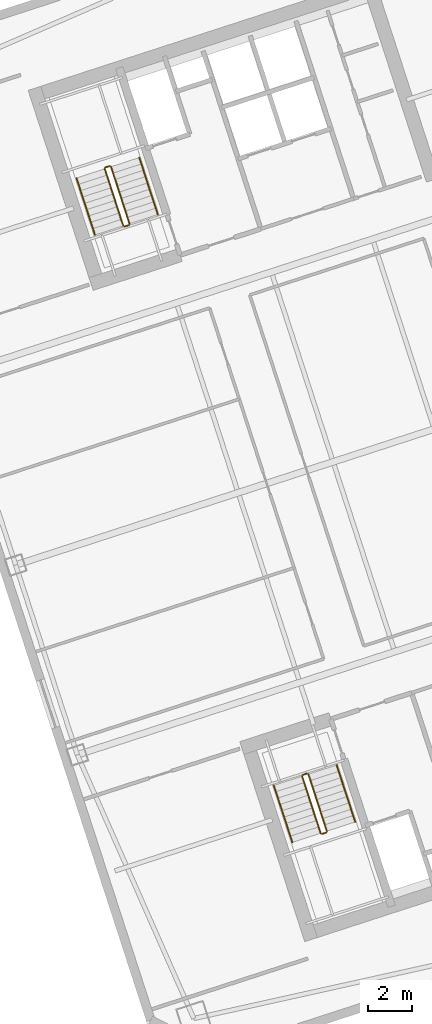
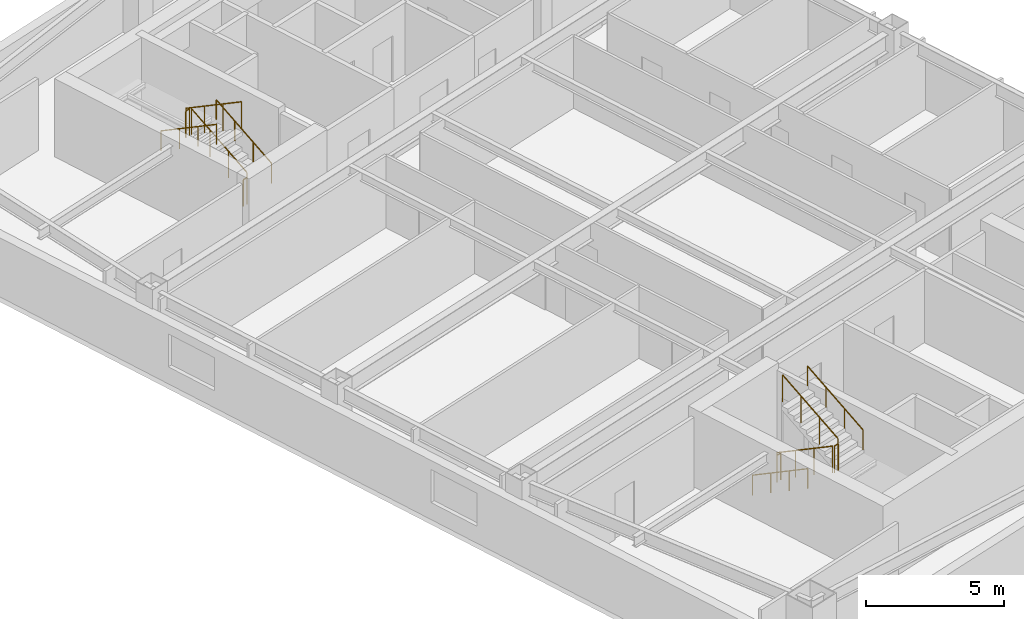
# One storey, part 14 of 14: 12 railings.
"""IFC4 building model written with IfcOpenShell, lengths in metres."""

from ifc_helpers import new_model, si_unit, direction, frame, origin, origin_2d, place, context, subcontext, project, spatial, circle, extrude, material, type_object, element, save


model = new_model("IFC4")

# Units and contexts
model_context = context("Model", 3, precision=1e-05, world=origin(), true_north=direction((0.0, 1.0)))
body_context = subcontext(model_context, "Body", "Model", "MODEL_VIEW")
ifc_project = project(units=[si_unit("LENGTHUNIT", "METRE"), si_unit("AREAUNIT", "SQUARE_METRE"), si_unit("VOLUMEUNIT", "CUBIC_METRE"), si_unit("PLANEANGLEUNIT", "RADIAN"), si_unit("MASSUNIT", "GRAM", prefix="KILO")], contexts=[model_context])

# Site, building, storey
site_placement = place(None, origin())
site = spatial("IfcSite", under=ifc_project, at=site_placement, CompositionType="ELEMENT")
building_placement = place(site_placement, origin())
building = spatial("IfcBuilding", under=site, at=building_placement, Name="Qiaolan Cultural Towers", CompositionType="ELEMENT")
storey_placement = place(building_placement, frame((0.0, 0.0, 159.85009765625)))
storey = spatial("IfcBuildingStorey", under=building, at=storey_placement, Name="L42", CompositionType="ELEMENT", Elevation=159.85009765625)

# Railings
ifc_material_1 = material(Name="Galvanized Painted Steel Stair Guardrail", Category="steel")
railing_type_1 = type_object("IfcRailingType", Name="RL-STAIR-GRD", PredefinedType="GUARDRAIL", material=ifc_material_1)
railing_1_placement = place(storey_placement, frame((88.60205078125, 19.82421875, 0.17236328125)))
element("IfcRailing", 1, at=railing_1_placement, inside=storey, type_object=railing_type_1, Name="L42 ST-E1 stair guard 1", PredefinedType="GUARDRAIL", context=body_context, shape_type="SweptSolid", body=[
    extrude(circle(Radius=0.02392578125, at=origin_2d()), frame((0.0, 0.0, 1.17578125), z_axis=(0.267925668498, -0.824471088726, 0.498460891159), x_axis=(0.951043371037, 0.309057448393, 0.0)), (0.0, 0.0, 1.0), 3.114501953125),
    extrude(circle(Radius=0.02099609375, at=origin_2d()), origin(), (0.0, 0.0, 1.0), 1.15185546875),
    extrude(circle(Radius=0.02099609375, at=origin_2d()), frame((0.278076171875, -0.85595703125, 0.517578125)), (0.0, 0.0, 1.0), 1.15185546875),
    extrude(circle(Radius=0.02099609375, at=origin_2d()), frame((0.556396484375, -1.7119140625, 1.034912109375)), (0.0, 0.0, 1.0), 1.15185546875),
    extrude(circle(Radius=0.02099609375, at=origin_2d()), frame((0.83447265625, -2.56787109375, 1.552490234375)), (0.0, 0.0, 1.0), 1.15185546875),
])
railing_2_placement = place(storey_placement, frame((89.49951171875, 17.224365234375, 1.724853515625)))
element("IfcRailing", 2, at=railing_2_placement, inside=storey, type_object=railing_type_1, Name="L42 ST-E1 stair guard 2", PredefinedType="GUARDRAIL", context=body_context, shape_type="SweptSolid", body=[
    extrude(circle(Radius=0.02392578125, at=origin_2d()), frame((0.0, 0.0, 1.17578125), z_axis=(0.951096855055, 0.308892816854, 0.0), x_axis=(-0.308892816854, 0.951096855055, 0.0)), (0.0, 0.0, 1.0), 0.199951171875),
    extrude(circle(Radius=0.02099609375, at=origin_2d()), origin(), (0.0, 0.0, 1.0), 1.15185546875),
    extrude(circle(Radius=0.02099609375, at=origin_2d()), frame((0.190185546875, 0.061767578125, 0.0)), (0.0, 0.0, 1.0), 1.15185546875),
])
railing_3_placement = place(storey_placement, frame((89.721923828125, 17.34912109375, 1.8974609375)))
element("IfcRailing", 3, at=railing_3_placement, inside=storey, type_object=railing_type_1, Name="L42 ST-E1 stair guard 3", PredefinedType="GUARDRAIL", context=body_context, shape_type="SweptSolid", body=[
    extrude(circle(Radius=0.02392578125, at=origin_2d()), frame((0.0, 0.0, 1.17578125), z_axis=(-0.267925668498, 0.824471088726, 0.498460891159), x_axis=(-0.951043371037, -0.309057448393, 0.0)), (0.0, 0.0, 1.0), 3.114501953125),
    extrude(circle(Radius=0.02099609375, at=origin_2d()), origin(), (0.0, 0.0, 1.0), 1.15185546875),
    extrude(circle(Radius=0.02099609375, at=origin_2d()), frame((-0.278076171875, 0.85595703125, 0.517578125)), (0.0, 0.0, 1.0), 1.15185546875),
    extrude(circle(Radius=0.02099609375, at=origin_2d()), frame((-0.556396484375, 1.7119140625, 1.034912109375)), (0.0, 0.0, 1.0), 1.15185546875),
    extrude(circle(Radius=0.02099609375, at=origin_2d()), frame((-0.83447265625, 2.56787109375, 1.552490234375)), (0.0, 0.0, 1.0), 1.15185546875),
])
railing_4_placement = place(storey_placement, frame((88.63427734375, 19.88720703125, 0.0)))
element("IfcRailing", 4, at=railing_4_placement, inside=storey, type_object=railing_type_1, Name="L42 ST-E1 stair guard 4", PredefinedType="GUARDRAIL", context=body_context, shape_type="SweptSolid", body=[
    extrude(circle(Radius=0.02392578125, at=origin_2d()), frame((0.0, 0.0, 1.17578125), z_axis=(0.951096855055, 0.308892816854, 0.0), x_axis=(-0.308892816854, 0.951096855055, 0.0)), (0.0, 0.0, 1.0), 0.199951171875),
    extrude(circle(Radius=0.02099609375, at=origin_2d()), origin(), (0.0, 0.0, 1.0), 1.15185546875),
    extrude(circle(Radius=0.02099609375, at=origin_2d()), frame((0.190185546875, 0.061767578125, 0.0)), (0.0, 0.0, 1.0), 1.15185546875),
])
railing_5_placement = place(storey_placement, frame((80.822021484375, 44.739501953125, 0.17236328125)))
element("IfcRailing", 5, at=railing_5_placement, inside=storey, type_object=railing_type_1, Name="L42 ST-E2 stair guard 1", PredefinedType="GUARDRAIL", context=body_context, shape_type="SweptSolid", body=[
    extrude(circle(Radius=0.02392578125, at=origin_2d()), frame((0.0, 0.0, 1.17578125), z_axis=(-0.26785290645, 0.824488402118, 0.498471358535), x_axis=(-0.951069945308, -0.308975661068, 0.0)), (0.0, 0.0, 1.0), 3.114501953125),
    extrude(circle(Radius=0.02099609375, at=origin_2d()), origin(), (0.0, 0.0, 1.0), 1.15185546875),
    extrude(circle(Radius=0.02099609375, at=origin_2d()), frame((-0.278076171875, 0.85595703125, 0.517578125)), (0.0, 0.0, 1.0), 1.15185546875),
    extrude(circle(Radius=0.02099609375, at=origin_2d()), frame((-0.55615234375, 1.7119140625, 1.034912109375)), (0.0, 0.0, 1.0), 1.15185546875),
    extrude(circle(Radius=0.02099609375, at=origin_2d()), frame((-0.834228515625, 2.56787109375, 1.552490234375)), (0.0, 0.0, 1.0), 1.15185546875),
])
railing_6_placement = place(storey_placement, frame((79.9248046875, 47.33935546875, 1.724853515625)))
element("IfcRailing", 6, at=railing_6_placement, inside=storey, type_object=railing_type_1, Name="L42 ST-E2 stair guard 2", PredefinedType="GUARDRAIL", context=body_context, shape_type="SweptSolid", body=[
    extrude(circle(Radius=0.02392578125, at=origin_2d()), frame((0.0, 0.0, 1.17578125), z_axis=(-0.951096855055, -0.308892816854, 0.0), x_axis=(0.308892816854, -0.951096855055, 0.0)), (0.0, 0.0, 1.0), 0.199951171875),
    extrude(circle(Radius=0.02099609375, at=origin_2d()), origin(), (0.0, 0.0, 1.0), 1.15185546875),
    extrude(circle(Radius=0.02099609375, at=origin_2d()), frame((-0.190185546875, -0.061767578125, 0.0)), (0.0, 0.0, 1.0), 1.15185546875),
])
railing_7_placement = place(storey_placement, frame((79.702392578125, 47.214599609375, 1.8974609375)))
element("IfcRailing", 7, at=railing_7_placement, inside=storey, type_object=railing_type_1, Name="L42 ST-E2 stair guard 3", PredefinedType="GUARDRAIL", context=body_context, shape_type="SweptSolid", body=[
    extrude(circle(Radius=0.02392578125, at=origin_2d()), frame((0.0, 0.0, 1.17578125), z_axis=(0.267925668498, -0.824471088726, 0.498460891159), x_axis=(0.951043371037, 0.309057448393, 0.0)), (0.0, 0.0, 1.0), 3.114501953125),
    extrude(circle(Radius=0.02099609375, at=origin_2d()), origin(), (0.0, 0.0, 1.0), 1.15185546875),
    extrude(circle(Radius=0.02099609375, at=origin_2d()), frame((0.278076171875, -0.85595703125, 0.517578125)), (0.0, 0.0, 1.0), 1.15185546875),
    extrude(circle(Radius=0.02099609375, at=origin_2d()), frame((0.556396484375, -1.7119140625, 1.034912109375)), (0.0, 0.0, 1.0), 1.15185546875),
    extrude(circle(Radius=0.02099609375, at=origin_2d()), frame((0.83447265625, -2.56787109375, 1.552490234375)), (0.0, 0.0, 1.0), 1.15185546875),
])
railing_8_placement = place(storey_placement, frame((80.7900390625, 44.676513671875, 0.0)))
element("IfcRailing", 8, at=railing_8_placement, inside=storey, type_object=railing_type_1, Name="L42 ST-E2 stair guard 4", PredefinedType="GUARDRAIL", context=body_context, shape_type="SweptSolid", body=[
    extrude(circle(Radius=0.02392578125, at=origin_2d()), frame((0.0, 0.0, 1.17578125), z_axis=(-0.951096855055, -0.308892816854, 0.0), x_axis=(0.308892816854, -0.951096855055, 0.0)), (0.0, 0.0, 1.0), 0.199951171875),
    extrude(circle(Radius=0.02099609375, at=origin_2d()), origin(), (0.0, 0.0, 1.0), 1.15185546875),
    extrude(circle(Radius=0.02099609375, at=origin_2d()), frame((-0.190185546875, -0.061767578125, 0.0)), (0.0, 0.0, 1.0), 1.15185546875),
])
ifc_material_2 = material(Name="Stainless Steel S30408 Tubular Handrail", Category="steel")
railing_type_2 = type_object("IfcRailingType", Name="RL-STAIR-HR", PredefinedType="HANDRAIL", material=ifc_material_2)
railing_9_placement = place(storey_placement, frame((87.32763671875, 19.41015625, 0.17236328125)))
element("IfcRailing", 9, at=railing_9_placement, inside=storey, type_object=railing_type_2, Name="L42 ST-E1 stair handrail 1", PredefinedType="HANDRAIL", context=body_context, shape_type="SweptSolid", body=[
    extrude(circle(Radius=0.02392578125, at=origin_2d()), frame((0.0, 0.0, 0.8759765625), z_axis=(0.267925668498, -0.824471088726, 0.498460891159), x_axis=(0.951043371037, 0.309057448393, 0.0)), (0.0, 0.0, 1.0), 3.114501953125),
    extrude(circle(Radius=0.02099609375, at=origin_2d()), origin(), (0.0, 0.0, 1.0), 0.851806640625),
    extrude(circle(Radius=0.02099609375, at=origin_2d()), frame((0.278076171875, -0.85595703125, 0.517578125)), (0.0, 0.0, 1.0), 0.851806640625),
    extrude(circle(Radius=0.02099609375, at=origin_2d()), frame((0.556396484375, -1.7119140625, 1.034912109375)), (0.0, 0.0, 1.0), 0.851806640625),
    extrude(circle(Radius=0.02099609375, at=origin_2d()), frame((0.83447265625, -2.56787109375, 1.552490234375)), (0.0, 0.0, 1.0), 0.851806640625),
])
railing_10_placement = place(storey_placement, frame((90.996337890625, 17.76318359375, 1.8974609375)))
element("IfcRailing", 10, at=railing_10_placement, inside=storey, type_object=railing_type_2, Name="L42 ST-E1 stair handrail 2", PredefinedType="HANDRAIL", context=body_context, shape_type="SweptSolid", body=[
    extrude(circle(Radius=0.02392578125, at=origin_2d()), frame((0.0, 0.0, 0.8759765625), z_axis=(-0.267925668498, 0.824471088726, 0.498460891159), x_axis=(-0.951043371037, -0.309057448393, 0.0)), (0.0, 0.0, 1.0), 3.114501953125),
    extrude(circle(Radius=0.02099609375, at=origin_2d()), origin(), (0.0, 0.0, 1.0), 0.851806640625),
    extrude(circle(Radius=0.02099609375, at=origin_2d()), frame((-0.278076171875, 0.85595703125, 0.517578125)), (0.0, 0.0, 1.0), 0.851806640625),
    extrude(circle(Radius=0.02099609375, at=origin_2d()), frame((-0.556396484375, 1.7119140625, 1.034912109375)), (0.0, 0.0, 1.0), 0.851806640625),
    extrude(circle(Radius=0.02099609375, at=origin_2d()), frame((-0.83447265625, 2.56787109375, 1.552490234375)), (0.0, 0.0, 1.0), 0.851806640625),
])
railing_11_placement = place(storey_placement, frame((82.096435546875, 45.153564453125, 0.17236328125)))
element("IfcRailing", 11, at=railing_11_placement, inside=storey, type_object=railing_type_2, Name="L42 ST-E2 stair handrail 1", PredefinedType="HANDRAIL", context=body_context, shape_type="SweptSolid", body=[
    extrude(circle(Radius=0.02392578125, at=origin_2d()), frame((0.0, 0.0, 0.8759765625), z_axis=(-0.26785290645, 0.824488402118, 0.498471358535), x_axis=(-0.951069945308, -0.308975661068, 0.0)), (0.0, 0.0, 1.0), 3.114501953125),
    extrude(circle(Radius=0.02099609375, at=origin_2d()), origin(), (0.0, 0.0, 1.0), 0.851806640625),
    extrude(circle(Radius=0.02099609375, at=origin_2d()), frame((-0.278076171875, 0.85595703125, 0.517578125)), (0.0, 0.0, 1.0), 0.851806640625),
    extrude(circle(Radius=0.02099609375, at=origin_2d()), frame((-0.55615234375, 1.7119140625, 1.034912109375)), (0.0, 0.0, 1.0), 0.851806640625),
    extrude(circle(Radius=0.02099609375, at=origin_2d()), frame((-0.834228515625, 2.56787109375, 1.552490234375)), (0.0, 0.0, 1.0), 0.851806640625),
])
railing_12_placement = place(storey_placement, frame((78.427978515625, 46.800537109375, 1.8974609375)))
element("IfcRailing", 12, at=railing_12_placement, inside=storey, type_object=railing_type_2, Name="L42 ST-E2 stair handrail 2", PredefinedType="HANDRAIL", context=body_context, shape_type="SweptSolid", body=[
    extrude(circle(Radius=0.02392578125, at=origin_2d()), frame((0.0, 0.0, 0.8759765625), z_axis=(0.267925668498, -0.824471088726, 0.498460891159), x_axis=(0.951043371037, 0.309057448393, 0.0)), (0.0, 0.0, 1.0), 3.114501953125),
    extrude(circle(Radius=0.02099609375, at=origin_2d()), origin(), (0.0, 0.0, 1.0), 0.851806640625),
    extrude(circle(Radius=0.02099609375, at=origin_2d()), frame((0.278076171875, -0.85595703125, 0.517578125)), (0.0, 0.0, 1.0), 0.851806640625),
    extrude(circle(Radius=0.02099609375, at=origin_2d()), frame((0.556396484375, -1.7119140625, 1.034912109375)), (0.0, 0.0, 1.0), 0.851806640625),
    extrude(circle(Radius=0.02099609375, at=origin_2d()), frame((0.83447265625, -2.56787109375, 1.552490234375)), (0.0, 0.0, 1.0), 0.851806640625),
])

save(model, "model.ifc")
